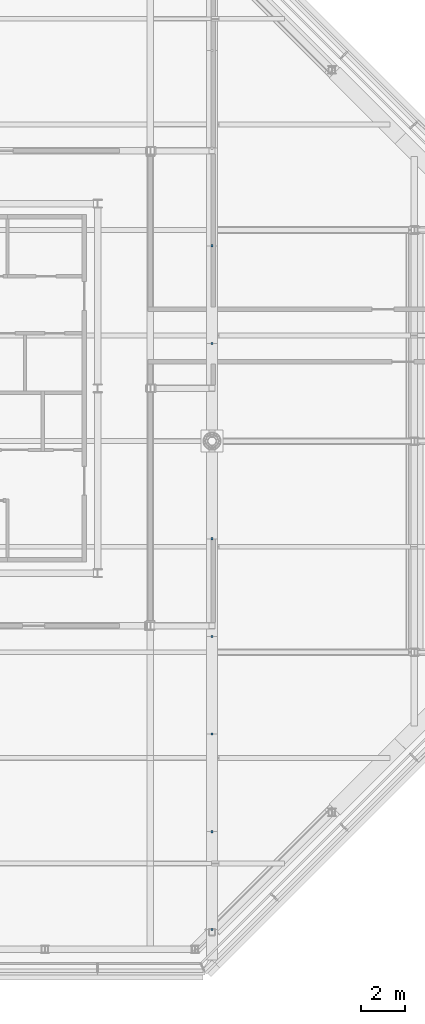
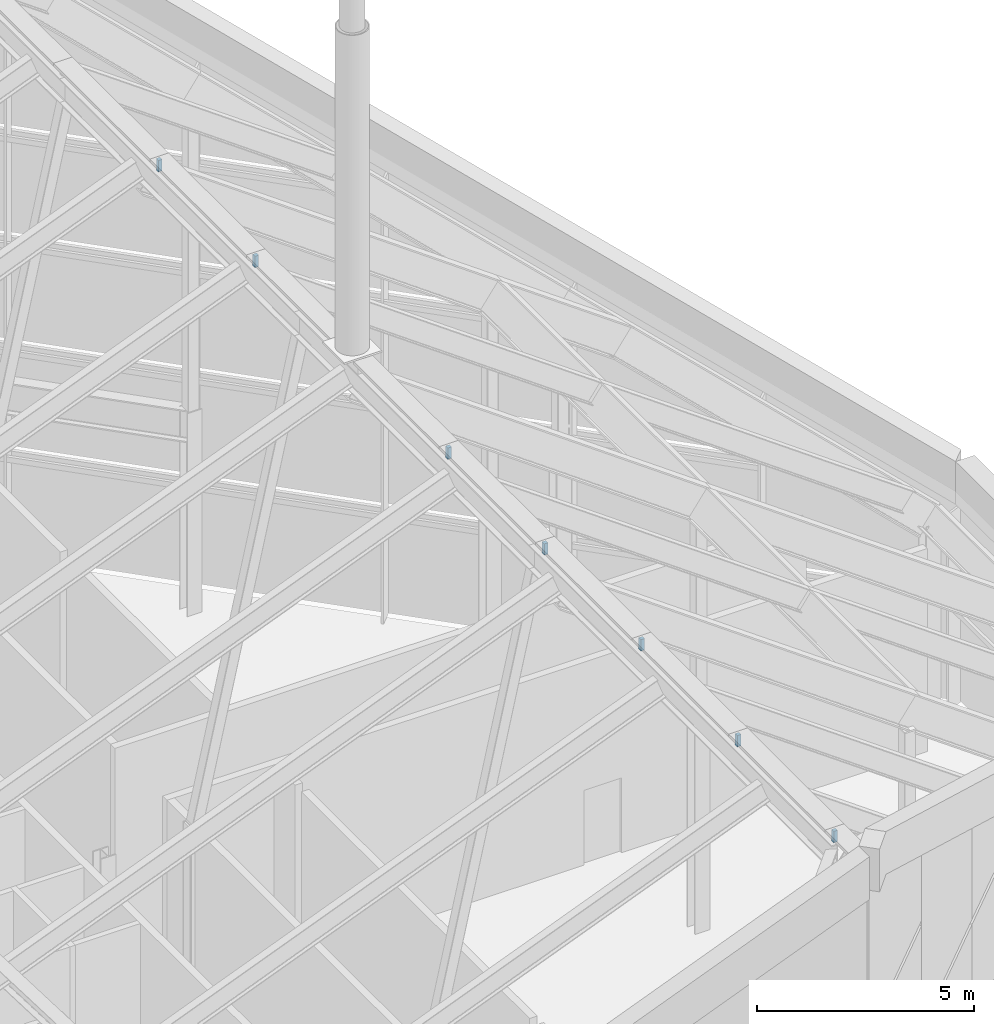
# One storey, part 11 of 21: 7 members.
"""IFC4 building model written with IfcOpenShell, lengths in metres."""

from ifc_helpers import new_model, si_unit, direction, frame, origin, origin_2d, place, context, subcontext, project, spatial, rectangle, extrude, material, material_profile, profile_set, type_object, element, save


model = new_model("IFC4")

# Units and contexts
model_context = context("Model", 3, precision=1e-05, world=origin(), true_north=direction((0.0, 1.0)))
body_context = subcontext(model_context, "Body", "Model", "MODEL_VIEW")
ifc_project = project(units=[si_unit("LENGTHUNIT", "METRE"), si_unit("AREAUNIT", "SQUARE_METRE"), si_unit("VOLUMEUNIT", "CUBIC_METRE"), si_unit("PLANEANGLEUNIT", "RADIAN"), si_unit("MASSUNIT", "GRAM", prefix="KILO")], contexts=[model_context])

# Site, building, storey
site_placement = place(None, origin())
site = spatial("IfcSite", under=ifc_project, at=site_placement, CompositionType="ELEMENT")
building_placement = place(site_placement, origin())
building = spatial("IfcBuilding", under=site, at=building_placement, Name="Cairn Pilgrim Tower", CompositionType="ELEMENT")
storey_placement = place(building_placement, frame((0.0, 0.0, 295.800048828125)))
storey = spatial("IfcBuildingStorey", under=building, at=storey_placement, Name="L76", CompositionType="ELEMENT", Elevation=295.800048828125)

# Members
ifc_material = material(Name="Structural steel S355J2", Category="steel")
ifc_material_profile = material_profile(ifc_material, rectangle(XDim=0.10009765625, YDim=0.10009765625, at=origin_2d()), Name="RIDGE POST 100x100 STEEL S355J2")
ifc_profile_set = profile_set([ifc_material_profile], Name="Structural steel S355J2")
member_type = type_object("IfcMemberType", Name="RIDGE POST 100x100 STEEL S355J2", PredefinedType="USERDEFINED", material=ifc_profile_set)
for number, where, z_axis, x_axis, name in (
    (1, (22.0, -22.197265625, 19.12060546875), (0.0, 0.0, 1.0), (1.0, 0.0, 0.0), "Ridge post 1"),
    (2, (22.0, -17.7578125, 19.12060546875), (0.0, 0.0, 1.0), (1.0, 0.0, 0.0), "Ridge post 2"),
    (3, (22.0, -13.318359375, 19.12060546875), (0.0, 0.0, 1.0), (1.0, 0.0, 0.0), "Ridge post 3"),
    (4, (22.0, -8.87890625, 19.12060546875), (0.0, 0.0, 1.0), (1.0, 0.0, 0.0), "Ridge post 4"),
    (5, (22.0, -4.439453125, 19.12060546875), (0.0, 0.0, 1.0), (1.0, 0.0, 0.0), "Ridge post 5"),
    (6, (22.0, 4.439453125, 19.12060546875), (0.0, 0.0, 1.0), (1.0, 0.0, 0.0), "Ridge post 7"),
    (7, (22.0, 8.87890625, 19.12060546875), (0.0, 0.0, 1.0), (1.0, 0.0, 0.0), "Ridge post 8"),
):
    element("IfcMember", number, at=place(storey_placement, frame(where, z_axis=z_axis, x_axis=x_axis)), inside=storey, type_object=member_type, Name=name, ObjectType="RIDGE POST", PredefinedType="USERDEFINED", context=body_context, shape_type="SweptSolid", body=[
        extrude(rectangle(XDim=0.10009765625, YDim=0.10009765625, at=origin_2d()), origin(), (0.0, 0.0, 1.0), 0.31982421875),
    ])

save(model, "model.ifc")
